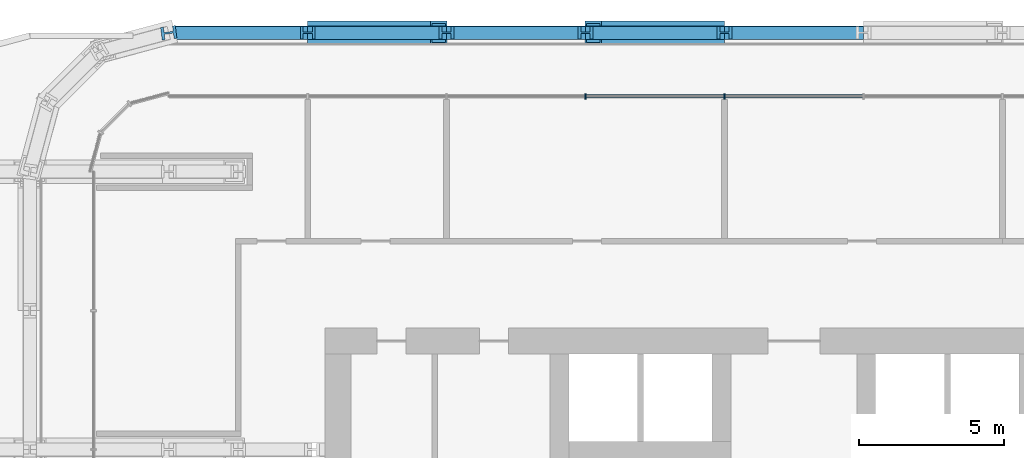
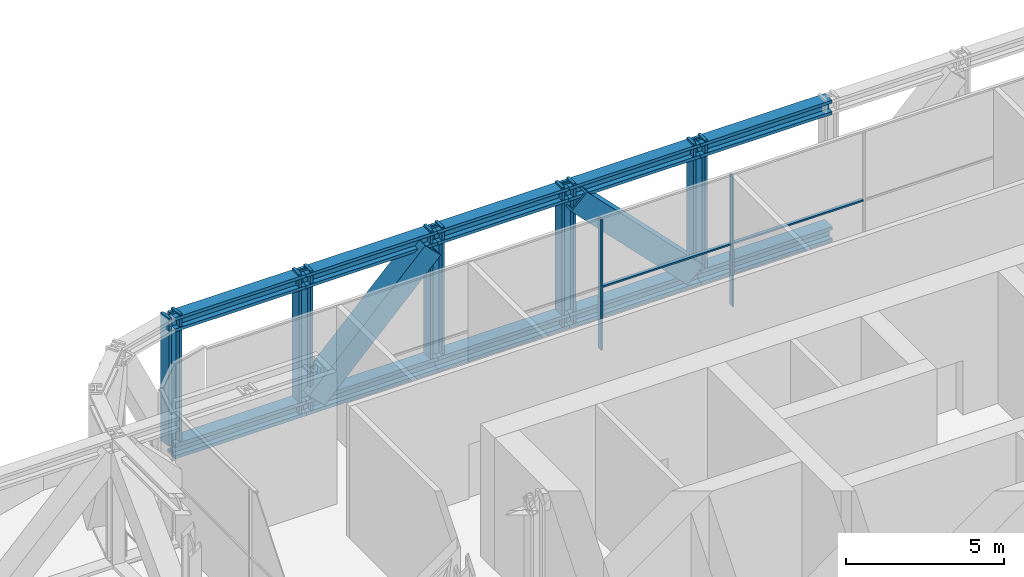
# One storey, part 13 of 30: 21 members, 1 element without a shape of its own.
"""IFC4 building model written with IfcOpenShell, lengths in metres."""

from ifc_helpers import new_model, si_unit, direction, frame, origin, origin_2d, place, context, subcontext, project, spatial, rectangle, hollow_rectangle, i_section, extrude, material, layer, layer_set, material_profile, profile_set, type_object, element, aggregate, save


model = new_model("IFC4")

# Units and contexts
model_context = context("Model", 3, precision=1e-05, world=origin(), true_north=direction((0.0, 1.0)))
body_context = subcontext(model_context, "Body", "Model", "MODEL_VIEW")
ifc_project = project(units=[si_unit("LENGTHUNIT", "METRE"), si_unit("AREAUNIT", "SQUARE_METRE"), si_unit("VOLUMEUNIT", "CUBIC_METRE"), si_unit("PLANEANGLEUNIT", "RADIAN"), si_unit("MASSUNIT", "GRAM", prefix="KILO")], contexts=[model_context])

# Site, building, storey
site_placement = place(None, origin())
site = spatial("IfcSite", under=ifc_project, at=site_placement, CompositionType="ELEMENT")
building_placement = place(site_placement, origin())
building = spatial("IfcBuilding", under=site, at=building_placement, Name="Madar Terraces", CompositionType="ELEMENT")
storey_placement = place(building_placement, frame((0.0, 0.0, 53.89990234375)))
storey = spatial("IfcBuildingStorey", under=building, at=storey_placement, Name="L13", CompositionType="ELEMENT", Elevation=53.89990234375)

# Members
ifc_material_1 = material(Name="Steel ASTM A913 Grade 65", Category="steel")
ifc_material_profile_1 = material_profile(ifc_material_1, i_section(OverallWidth=0.472412109375, OverallDepth=0.5791015625, WebThickness=0.094970703125, FlangeThickness=0.130126953125, at=origin_2d()), Name="W14x808")
ifc_profile_set_1 = profile_set([ifc_material_profile_1], Name="Steel ASTM A913 Grade 65")
member_type_1 = type_object("IfcMemberType", Name="BC2 W14x808", PredefinedType="CHORD", material=ifc_profile_set_1)
for number, where, z_axis, x_axis, name in (
    (1, (33.60009765625, 48.0, -0.13037109375), (-1.0, 0.0, 0.0), (0.0, -1.0, 0.0), "Exoskeleton truss ring bottom chord BC2"),
    (2, (28.800048828125, 48.0, -0.13037109375), (-1.0, 0.0, 0.0), (0.0, -1.0, 0.0), "Exoskeleton truss ring bottom chord BC2"),
    (3, (24.0, 48.0, -0.13037109375), (-1.0, 0.0, 0.0), (0.0, -1.0, 0.0), "Exoskeleton truss ring bottom chord BC2"),
    (4, (19.199951171875, 48.0, -0.13037109375), (-1.0, 0.0, 0.0), (0.0, -1.0, 0.0), "Exoskeleton truss ring bottom chord BC2"),
):
    element("IfcMember", number, at=place(storey_placement, frame(where, z_axis=z_axis, x_axis=x_axis)), inside=storey, type_object=member_type_1, Name=name, PredefinedType="CHORD", context=body_context, shape_type="SweptSolid", body=[
        extrude(i_section(OverallWidth=0.472412109375, OverallDepth=0.5791015625, WebThickness=0.094970703125, FlangeThickness=0.130126953125, at=origin_2d()), origin(), (0.0, 0.0, 1.0), 4.800048828125),
    ])
member_1_placement = place(storey_placement, frame((14.39990234375, 48.0, -0.13037109375), z_axis=(-1.0, 0.0, 0.0), x_axis=(0.0, -1.0, 0.0)))
element("IfcMember", 5, at=member_1_placement, inside=storey, type_object=member_type_1, Name="Exoskeleton truss ring bottom chord BC2", PredefinedType="CHORD", context=body_context, shape_type="SweptSolid", body=[
    extrude(i_section(OverallWidth=0.472412109375, OverallDepth=0.5791015625, WebThickness=0.094970703125, FlangeThickness=0.130126953125, at=origin_2d()), origin(), (0.0, 0.0, 1.0), 4.7998046875),
])

# Curtain wall, members
ifc_material_2 = material(Name="Glass, ceramic frit dark grey, with black aluminium frame", Category="aluminium")
ifc_layer = layer(ifc_material_2, 0.199951171875)
ifc_layer_set = layer_set([ifc_layer], Name="Facade curtain wall, tall glazing")
curtain_wall_type = type_object("IfcCurtainWallType", Name="Facade curtain wall, tall glazing", PredefinedType="NOTDEFINED", material=ifc_layer_set)
curtain_wall_placement = place(storey_placement, origin())
curtain_wall = element("IfcCurtainWall", 6, at=curtain_wall_placement, inside=storey, type_object=curtain_wall_type, Name="Outer skin curtain wall north bay 1", PredefinedType="NOTDEFINED")
ifc_material_3 = material(Name="Aluminium, black anodised", Category="aluminium")
ifc_material_profile_2 = material_profile(ifc_material_3, rectangle(XDim=0.199951171875, YDim=0.06005859375, at=origin_2d()), Name="Facade mullion 60x200")
ifc_profile_set_2 = profile_set([ifc_material_profile_2], Name="Aluminium, black anodised")
member_type_2 = type_object("IfcMemberType", Name="Facade mullion 60x200", PredefinedType="MULLION", material=ifc_profile_set_2)
member_2_placement = place(storey_placement, frame((28.800048828125, 45.800048828125, 0.0), z_axis=(0.0, 0.0, 1.0), x_axis=(0.0, -1.0, 0.0)))
member_2 = element("IfcMember", 7, at=member_2_placement, type_object=member_type_2, Name="Mullion 6", PredefinedType="MULLION", context=body_context, shape_type="SweptSolid", body=[
    extrude(rectangle(XDim=0.199951171875, YDim=0.06005859375, at=origin_2d()), origin(), (0.0, 0.0, 1.0), 5.0400390625),
])
member_3_placement = place(storey_placement, frame((24.0, 45.800048828125, 0.0), z_axis=(0.0, 0.0, 1.0), x_axis=(0.0, -1.0, 0.0)))
member_3 = element("IfcMember", 8, at=member_3_placement, type_object=member_type_2, Name="Mullion 7", PredefinedType="MULLION", context=body_context, shape_type="SweptSolid", body=[
    extrude(rectangle(XDim=0.199951171875, YDim=0.06005859375, at=origin_2d()), origin(), (0.0, 0.0, 1.0), 5.0400390625),
])
ifc_material_4 = material(Name="Aluminium, black anodised", Category="aluminium")
ifc_material_profile_3 = material_profile(ifc_material_4, rectangle(XDim=0.1201171875, YDim=0.06005859375, at=origin_2d()), Name="Facade transom 60x120")
ifc_profile_set_3 = profile_set([ifc_material_profile_3], Name="Aluminium, black anodised")
member_type_3 = type_object("IfcMemberType", Name="Facade transom 60x120", PredefinedType="USERDEFINED", material=ifc_profile_set_3)
member_4_placement = place(storey_placement, frame((33.570068359375, 45.800048828125, 2.400146484375), z_axis=(-1.0, 0.0, 0.0), x_axis=(0.0, -1.0, 0.0)))
member_4 = element("IfcMember", 9, at=member_4_placement, type_object=member_type_3, Name="Transom 7", ObjectType="TRANSOM", PredefinedType="USERDEFINED", context=body_context, shape_type="SweptSolid", body=[
    extrude(rectangle(XDim=0.1201171875, YDim=0.06005859375, at=origin_2d()), origin(), (0.0, 0.0, 1.0), 4.739990234375),
])
member_5_placement = place(storey_placement, frame((28.77001953125, 45.800048828125, 2.400146484375), z_axis=(-1.0, 0.0, 0.0), x_axis=(0.0, -1.0, 0.0)))
member_5 = element("IfcMember", 10, at=member_5_placement, type_object=member_type_3, Name="Transom 8", ObjectType="TRANSOM", PredefinedType="USERDEFINED", context=body_context, shape_type="SweptSolid", body=[
    extrude(rectangle(XDim=0.1201171875, YDim=0.06005859375, at=origin_2d()), origin(), (0.0, 0.0, 1.0), 4.739990234375),
])
aggregate(curtain_wall, [member_2, member_3, member_4, member_5])

# Members
ifc_material_5 = material(Name="Steel ASTM A913 Grade 65", Category="steel")
ifc_material_profile_4 = material_profile(ifc_material_5, i_section(OverallWidth=0.449462890625, OverallDepth=0.548583984375, WebThickness=0.07177734375, FlangeThickness=0.11474609375, at=origin_2d()), Name="W14x665")
ifc_profile_set_4 = profile_set([ifc_material_profile_4], Name="Steel ASTM A913 Grade 65")
member_type_4 = type_object("IfcMemberType", Name="TC2 W14x665", PredefinedType="CHORD", material=ifc_profile_set_4)
for number, where, z_axis, x_axis, name in (
    (11, (33.60009765625, 48.0, 4.755859375), (-1.0, 0.0, 0.0), (0.0, -1.0, 0.0), "Exoskeleton truss ring top chord TC2"),
    (12, (28.800048828125, 48.0, 4.755859375), (-1.0, 0.0, 0.0), (0.0, -1.0, 0.0), "Exoskeleton truss ring top chord TC2"),
    (13, (24.0, 48.0, 4.755859375), (-1.0, 0.0, 0.0), (0.0, -1.0, 0.0), "Exoskeleton truss ring top chord TC2"),
    (14, (19.199951171875, 48.0, 4.755859375), (-1.0, 0.0, 0.0), (0.0, -1.0, 0.0), "Exoskeleton truss ring top chord TC2"),
):
    element("IfcMember", number, at=place(storey_placement, frame(where, z_axis=z_axis, x_axis=x_axis)), inside=storey, type_object=member_type_4, Name=name, PredefinedType="CHORD", context=body_context, shape_type="SweptSolid", body=[
        extrude(i_section(OverallWidth=0.449462890625, OverallDepth=0.548583984375, WebThickness=0.07177734375, FlangeThickness=0.11474609375, at=origin_2d()), origin(), (0.0, 0.0, 1.0), 4.800048828125),
    ])
member_6_placement = place(storey_placement, frame((14.39990234375, 48.0, 4.755859375), z_axis=(-1.0, 0.0, 0.0), x_axis=(0.0, -1.0, 0.0)))
element("IfcMember", 15, at=member_6_placement, inside=storey, type_object=member_type_4, Name="Exoskeleton truss ring top chord TC2", PredefinedType="CHORD", context=body_context, shape_type="SweptSolid", body=[
    extrude(i_section(OverallWidth=0.449462890625, OverallDepth=0.548583984375, WebThickness=0.07177734375, FlangeThickness=0.11474609375, at=origin_2d()), origin(), (0.0, 0.0, 1.0), 4.7998046875),
])
ifc_material_6 = material(Name="Steel ASTM A572 Grade 50", Category="steel")
ifc_material_profile_5 = material_profile(ifc_material_6, hollow_rectangle(XDim=0.800048828125, YDim=0.800048828125, WallThickness=0.070068359375, at=origin_2d()), Name="BOX800x800x70")
ifc_profile_set_5 = profile_set([ifc_material_profile_5], Name="Steel ASTM A572 Grade 50")
member_type_5 = type_object("IfcMemberType", Name="TD2 BOX800x800x70", PredefinedType="BRACE", material=ifc_profile_set_5)
member_7_placement = place(storey_placement, frame((28.515625, 48.0, 0.1591796875), z_axis=(-0.700792979798, 0.0, 0.713364702986), x_axis=(0.0, -1.0, 0.0)))
element("IfcMember", 16, at=member_7_placement, inside=storey, type_object=member_type_5, Name="Exoskeleton truss ring diagonal TD2", PredefinedType="BRACE", context=body_context, shape_type="SweptSolid", body=[
    extrude(hollow_rectangle(XDim=0.800048828125, YDim=0.800048828125, WallThickness=0.070068359375, at=origin_2d()), origin(), (0.0, 0.0, 1.0), 6.05908203125),
])
member_8_placement = place(storey_placement, frame((18.930419921875, 48.0, 4.4814453125), z_axis=(-0.700772473755, 0.0, -0.713384847068), x_axis=(0.0, -1.0, 0.0)))
element("IfcMember", 17, at=member_8_placement, inside=storey, type_object=member_type_5, Name="Exoskeleton truss ring diagonal TD2", PredefinedType="BRACE", context=body_context, shape_type="SweptSolid", body=[
    extrude(hollow_rectangle(XDim=0.800048828125, YDim=0.800048828125, WallThickness=0.070068359375, at=origin_2d()), origin(), (0.0, 0.0, 1.0), 6.058837890625),
])
ifc_material_7 = material(Name="Steel ASTM A913 Grade 65", Category="steel")
ifc_material_profile_6 = material_profile(ifc_material_7, i_section(OverallWidth=0.436767578125, OverallDepth=0.51318359375, WebThickness=0.060546875, FlangeThickness=0.096923828125, at=origin_2d()), Name="W14x550")
ifc_profile_set_6 = profile_set([ifc_material_profile_6], Name="Steel ASTM A913 Grade 65")
member_type_6 = type_object("IfcMemberType", Name="TV2 W14x550", PredefinedType="POST", material=ifc_profile_set_6)
member_9_placement = place(storey_placement, frame((28.800048828125, 48.0, 0.1591796875), z_axis=(0.0, 0.0, 1.0), x_axis=(0.0, -1.0, 0.0)))
element("IfcMember", 18, at=member_9_placement, inside=storey, type_object=member_type_6, Name="Exoskeleton truss ring post TV2", PredefinedType="POST", context=body_context, shape_type="SweptSolid", body=[
    extrude(i_section(OverallWidth=0.436767578125, OverallDepth=0.51318359375, WebThickness=0.060546875, FlangeThickness=0.096923828125, at=origin_2d()), origin(), (0.0, 0.0, 1.0), 4.94091796875),
])
member_10_placement = place(storey_placement, frame((24.0, 48.0, -0.419921875), z_axis=(0.0, 0.0, 1.0), x_axis=(0.0, -1.0, 0.0)))
element("IfcMember", 19, at=member_10_placement, inside=storey, type_object=member_type_6, Name="Exoskeleton truss ring post TV2", PredefinedType="POST", context=body_context, shape_type="SweptSolid", body=[
    extrude(i_section(OverallWidth=0.436767578125, OverallDepth=0.51318359375, WebThickness=0.060546875, FlangeThickness=0.096923828125, at=origin_2d()), origin(), (0.0, 0.0, 1.0), 5.52001953125),
])
member_11_placement = place(storey_placement, frame((19.199951171875, 48.0, 0.1591796875), z_axis=(0.0, 0.0, 1.0), x_axis=(0.0, -1.0, 0.0)))
element("IfcMember", 20, at=member_11_placement, inside=storey, type_object=member_type_6, Name="Exoskeleton truss ring post TV2", PredefinedType="POST", context=body_context, shape_type="SweptSolid", body=[
    extrude(i_section(OverallWidth=0.436767578125, OverallDepth=0.51318359375, WebThickness=0.060546875, FlangeThickness=0.096923828125, at=origin_2d()), origin(), (0.0, 0.0, 1.0), 4.94091796875),
])
member_12_placement = place(storey_placement, frame((14.39990234375, 48.0, -0.419921875), z_axis=(0.0, 0.0, 1.0), x_axis=(0.0, -1.0, 0.0)))
element("IfcMember", 21, at=member_12_placement, inside=storey, type_object=member_type_6, Name="Exoskeleton truss ring post TV2", PredefinedType="POST", context=body_context, shape_type="SweptSolid", body=[
    extrude(i_section(OverallWidth=0.436767578125, OverallDepth=0.51318359375, WebThickness=0.060546875, FlangeThickness=0.096923828125, at=origin_2d()), origin(), (0.0, 0.0, 1.0), 5.52001953125),
])
member_13_placement = place(storey_placement, frame((9.60009765625, 48.0, 0.1591796875), z_axis=(0.0, 0.0, 1.0), x_axis=(0.130526174916, -0.991444863652, 0.0)))
element("IfcMember", 22, at=member_13_placement, inside=storey, type_object=member_type_6, Name="Exoskeleton truss ring post TV2", PredefinedType="POST", context=body_context, shape_type="SweptSolid", body=[
    extrude(i_section(OverallWidth=0.436767578125, OverallDepth=0.51318359375, WebThickness=0.060546875, FlangeThickness=0.096923828125, at=origin_2d()), origin(), (0.0, 0.0, 1.0), 4.94091796875),
])

save(model, "model.ifc")
